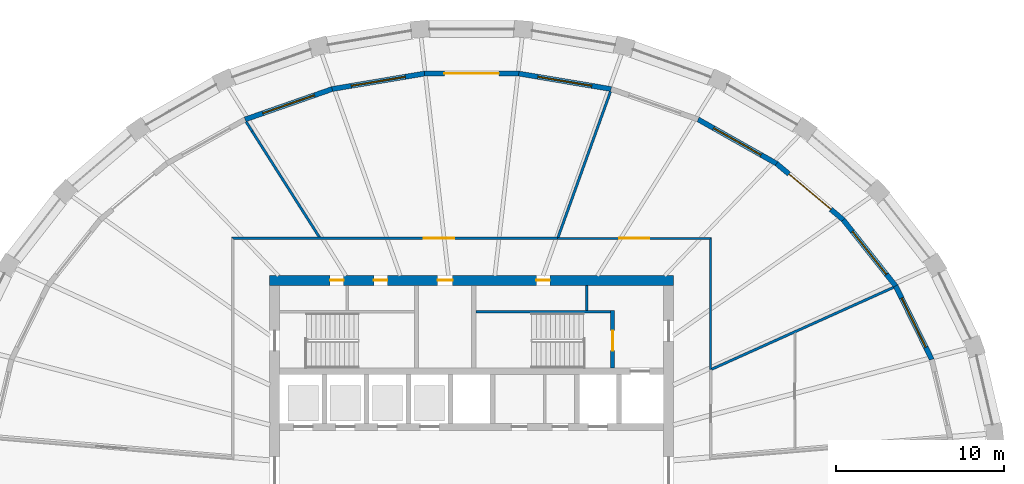
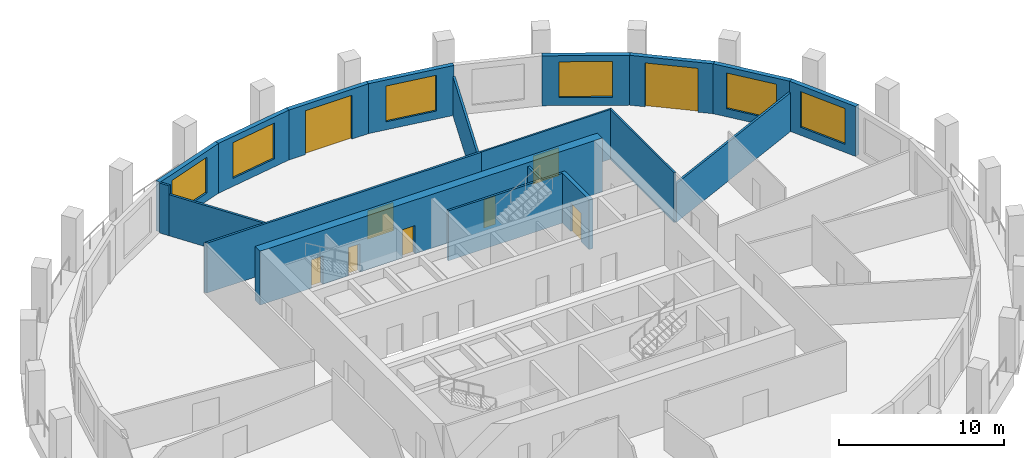
# One storey, part 6 of 10: 19 walls, 9 doors, 6 windows, 15 openings.
"""IFC4 building model written with IfcOpenShell, lengths in metres."""

from ifc_helpers import new_model, si_unit, direction, frame, frame_2d, origin, place, context, subcontext, project, spatial, polyline, rectangle, outline, extrude, material, layer, layer_set, type_object, element, fill, save


model = new_model("IFC4")

# Units and contexts
model_context = context("Model", 3, precision=1e-05, world=origin(), true_north=direction((0.0, 1.0)))
body_context = subcontext(model_context, "Body", "Model", "MODEL_VIEW")
ifc_project = project(units=[si_unit("LENGTHUNIT", "METRE"), si_unit("AREAUNIT", "SQUARE_METRE"), si_unit("VOLUMEUNIT", "CUBIC_METRE"), si_unit("PLANEANGLEUNIT", "RADIAN"), si_unit("MASSUNIT", "GRAM", prefix="KILO")], contexts=[model_context])

# Site, building, storey
site_placement = place(None, origin())
site = spatial("IfcSite", under=ifc_project, at=site_placement, CompositionType="ELEMENT")
building_placement = place(site_placement, origin())
building = spatial("IfcBuilding", under=site, at=building_placement, Name="Halqa Exchange Tower", CompositionType="ELEMENT")
storey_placement = place(building_placement, frame((0.0, 0.0, 242.89990234375)))
storey = spatial("IfcBuildingStorey", under=building, at=storey_placement, Name="L56", CompositionType="ELEMENT", Elevation=242.89990234375)

# Wall, opening, door
ifc_material_1 = material(Name="Fire-rated gypsum board")
ifc_layer_1 = layer(ifc_material_1, 0.14990234375)
ifc_layer_set_1 = layer_set([ifc_layer_1], Name="Fire-rated gypsum board")
wall_type_1 = type_object("IfcWallType", Name="Fire partition EI 60 150", PredefinedType="PARTITIONING", material=ifc_layer_set_1)
wall_1_placement = place(storey_placement, frame((-14.27490234375, 14.199951171875, 0.0), z_axis=(0.0, 0.0, 1.0), x_axis=(1.0, 0.0, 0.0)))
wall_1 = element("IfcWall", 1, at=wall_1_placement, inside=storey, type_object=wall_type_1, Name="L56-PWL-005", PredefinedType="PARTITIONING", context=body_context, shape_type="SweptSolid", body=[
    extrude(outline(polyline([(19.385009765625, 0.074951171875), (17.446533203125, 0.074951171875), (15.508056640625, 0.074951171875), (13.569580078125, 0.074951171875), (11.631103515625, 0.074951171875), (9.6923828125, 0.074951171875), (7.75390625, 0.074951171875), (5.8154296875, 0.074951171875), (3.876953125, 0.074951171875), (1.9384765625, 0.074951171875), (0.0, 0.074951171875), (0.14990234375, -0.074951171875), (2.073486328125, -0.074951171875), (3.996826171875, -0.074951171875), (5.92041015625, -0.074951171875), (7.843994140625, -0.074951171875), (9.767578125, -0.074951171875), (11.69091796875, -0.074951171875), (13.614501953125, -0.074951171875), (15.5380859375, -0.074951171875), (17.46142578125, -0.074951171875), (19.385009765625, -0.074951171875), (19.385009765625, 0.074951171875)])), origin(), (0.0, 0.0, 1.0), 3.7001953125),
])
opening_1_placement = place(wall_1_placement, frame((11.429931640625, 0.0, 0.0)))
opening_1 = element("IfcOpeningElement", 2, at=opening_1_placement, cuts=wall_1, Name="Opening 17-06", PredefinedType="OPENING", context=body_context, shape_type="SweptSolid", body=[
    extrude(rectangle(XDim=1.800048828125, YDim=2.10009765625, at=frame_2d((0.89990234375, 1.050048828125))), frame((0.0, 0.0869140625, 0.0), z_axis=(0.0, -1.0, 0.0), x_axis=(1.0, 0.0, 0.0)), (0.0, 0.0, 1.0), 0.173828125),
])
ifc_material_2 = material(Name="Steel fire door leaf", Category="steel")
door_type_1 = type_object("IfcDoorType", Name="Fire door FD30S double 1800 x 2100", OperationType="DOUBLE_DOOR_SINGLE_SWING", PredefinedType="DOOR", material=ifc_material_2)
door_1_placement = place(opening_1_placement, origin())
door_1 = element("IfcDoor", 3, at=door_1_placement, inside=storey, type_object=door_type_1, Name="L56-IDR-006", OperationType="DOUBLE_DOOR_SINGLE_SWING", OverallHeight=2.10009765625, OverallWidth=1.800048828125, PredefinedType="DOOR", context=body_context, shape_type="SweptSolid", body=[
    extrude(rectangle(XDim=1.800048828125, YDim=2.10009765625, at=frame_2d((0.89990234375, 1.050048828125))), frame((0.0, 0.02490234375, 0.0), z_axis=(0.0, -1.0, 0.0), x_axis=(1.0, 0.0, 0.0)), (0.0, 0.0, 1.0), 0.050048828125),
])
fill(opening_1, door_1)

# Walls
wall_2_placement = place(storey_placement, frame((-9.022216796875, 14.235107421875, 0.0), z_axis=(0.0, 0.0, 1.0), x_axis=(-0.536113951256, 0.844145622075, 0.0)))
element("IfcWall", 4, at=wall_2_placement, inside=storey, type_object=wall_type_1, Name="L56-PWL-006", PredefinedType="PARTITIONING", context=body_context, shape_type="SweptSolid", body=[
    extrude(outline(polyline([(7.49072265625, 0.074951171875), (5.641845703125, 0.074951171875), (3.792724609375, 0.074951171875), (1.94384765625, 0.074951171875), (0.094970703125, 0.074951171875), (0.0, -0.074462890625), (0.0, -0.074951171875), (1.87255859375, -0.074951171875), (3.745361328125, -0.074951171875), (5.6181640625, -0.074951171875), (7.49072265625, -0.074951171875), (7.49072265625, 0.074951171875)])), origin(), (0.0, 0.0, 1.0), 3.050048828125),
])
wall_3_placement = place(storey_placement, frame((5.1279296875, 14.25, 0.0), z_axis=(0.0, 0.0, 1.0), x_axis=(0.33871853012, 0.940887749603, 0.0)))
element("IfcWall", 5, at=wall_3_placement, inside=storey, type_object=wall_type_1, Name="L56-PWL-010", PredefinedType="PARTITIONING", context=body_context, shape_type="SweptSolid", body=[
    extrude(outline(polyline([(9.215087890625, -0.074951171875), (9.215087890625, -0.060546875), (9.214599609375, 0.001953125), (9.201171875, 0.074951171875), (7.361083984375, 0.074951171875), (5.520751953125, 0.074951171875), (3.680419921875, 0.074951171875), (1.84033203125, 0.074951171875), (0.0, 0.074951171875), (0.0, 0.07373046875), (0.017333984375, 0.025390625), (0.00341796875, 0.020263671875), (0.03759765625, -0.074951171875), (1.873046875, -0.074951171875), (3.70849609375, -0.074951171875), (5.544189453125, -0.074951171875), (7.379638671875, -0.074951171875), (9.215087890625, -0.074951171875)])), origin(), (0.0, 0.0, 1.0), 2.897216796875),
])
wall_4_placement = place(storey_placement, frame((14.24462890625, 6.420166015625, 0.0), z_axis=(0.0, 0.0, 1.0), x_axis=(0.911924971597, 0.410356974082, 0.0)))
element("IfcWall", 6, at=wall_4_placement, inside=storey, type_object=wall_type_1, Name="L56-PWL-018", PredefinedType="PARTITIONING", context=body_context, shape_type="SweptSolid", body=[
    extrude(outline(polyline([(0.0, -0.074951171875), (1.78173828125, -0.074951171875), (3.563720703125, -0.074951171875), (5.345458984375, -0.074951171875), (5.34619140625, -0.072998046875), (5.3505859375, -0.074951171875), (6.97802734375, -0.074951171875), (8.60546875, -0.074951171875), (10.23291015625, -0.074951171875), (11.8603515625, -0.074951171875), (11.8603515625, -0.074462890625), (11.857666015625, 0.005126953125), (11.840087890625, 0.074951171875), (9.875, 0.074951171875), (7.91015625, 0.074951171875), (5.9453125, 0.074951171875), (3.98046875, 0.074951171875), (2.015380859375, 0.074951171875), (0.050537109375, 0.074951171875), (0.005859375, -0.024658203125), (0.01953125, -0.03076171875), (0.0, -0.073974609375), (0.0, -0.074951171875)])), origin(), (0.0, 0.0, 1.0), 2.880126953125),
])
wall_5_placement = place(storey_placement, frame((-13.0380859375, 20.558349609375, 0.0), z_axis=(0.0, 0.0, 1.0), x_axis=(-0.536263285698, 0.844050761751, 0.0)))
element("IfcWall", 7, at=wall_5_placement, inside=storey, type_object=wall_type_1, Name="L56-PWL-022", PredefinedType="PARTITIONING", context=body_context, shape_type="SweptSolid", body=[
    extrude(outline(polyline([(0.0, -0.074951171875), (0.650634765625, -0.074951171875), (0.667236328125, -0.00390625), (0.671142578125, 0.069091796875), (0.671142578125, 0.074951171875), (0.0, 0.074951171875), (0.0, -0.074951171875)])), origin(), (0.0, 0.0, 1.0), 3.7001953125),
])

# Wall, opening, door
ifc_material_3 = material(Name="Fire-rated glazing", Category="glass")
ifc_layer_2 = layer(ifc_material_3, 0.1201171875)
ifc_layer_set_2 = layer_set([ifc_layer_2], Name="Fire-rated glazing")
wall_type_2 = type_object("IfcWallType", Name="Glazed fire partition EI 60 120", PredefinedType="PARTITIONING", material=ifc_layer_set_2)
wall_6_placement = place(storey_placement, frame((5.110107421875, 14.199951171875, 0.0), z_axis=(0.0, 0.0, 1.0), x_axis=(1.0, 0.0, 0.0)))
wall_6 = element("IfcWall", 8, at=wall_6_placement, inside=storey, type_object=wall_type_2, Name="L56-PWL-011", PredefinedType="PARTITIONING", context=body_context, shape_type="SweptSolid", body=[
    extrude(outline(polyline([(0.0, -0.06005859375), (1.805908203125, -0.06005859375), (3.61181640625, -0.06005859375), (5.41796875, -0.06005859375), (7.223876953125, -0.06005859375), (9.02978515625, -0.06005859375), (9.14990234375, 0.06005859375), (7.31982421875, 0.06005859375), (5.489990234375, 0.06005859375), (3.659912109375, 0.06005859375), (1.830078125, 0.06005859375), (0.0, 0.06005859375), (0.0, -0.06005859375)])), origin(), (0.0, 0.0, 1.0), 3.7001953125),
])
opening_2_placement = place(wall_6_placement, frame((3.64501953125, 0.0, 0.0)))
opening_2 = element("IfcOpeningElement", 9, at=opening_2_placement, cuts=wall_6, Name="Opening 17-05", PredefinedType="OPENING", context=body_context, shape_type="SweptSolid", body=[
    extrude(rectangle(XDim=1.800048828125, YDim=2.10009765625, at=frame_2d((0.89990234375, 1.050048828125))), frame((0.0, 0.072021484375, 0.0), z_axis=(0.0, -1.0, 0.0), x_axis=(1.0, 0.0, 0.0)), (0.0, 0.0, 1.0), 0.14404296875),
])
door_2_placement = place(opening_2_placement, origin())
door_2 = element("IfcDoor", 10, at=door_2_placement, inside=storey, type_object=door_type_1, Name="L56-IDR-005", OperationType="DOUBLE_DOOR_SINGLE_SWING", OverallHeight=2.10009765625, OverallWidth=1.800048828125, PredefinedType="DOOR", context=body_context, shape_type="SweptSolid", body=[
    extrude(rectangle(XDim=1.800048828125, YDim=2.10009765625, at=frame_2d((0.89990234375, 1.050048828125))), frame((0.0, 0.02490234375, 0.0), z_axis=(0.0, -1.0, 0.0), x_axis=(1.0, 0.0, 0.0)), (0.0, 0.0, 1.0), 0.050048828125),
])
fill(opening_2, door_2)

# Walls
wall_7_placement = place(storey_placement, frame((14.199951171875, 14.260009765625, 0.0), z_axis=(0.0, 0.0, 1.0), x_axis=(0.0, -1.0, 0.0)))
element("IfcWall", 11, at=wall_7_placement, inside=storey, type_object=wall_type_2, Name="L56-PWL-019", PredefinedType="PARTITIONING", context=body_context, shape_type="SweptSolid", body=[
    extrude(outline(polyline([(7.860107421875, 0.06005859375), (5.89501953125, 0.06005859375), (3.93017578125, 0.06005859375), (1.965087890625, 0.06005859375), (0.0, 0.06005859375), (0.1201171875, -0.06005859375), (2.05517578125, -0.06005859375), (3.990234375, -0.06005859375), (5.925048828125, -0.06005859375), (7.860107421875, -0.06005859375), (7.860107421875, 0.06005859375)])), origin(), (0.0, 0.0, 1.0), 3.7001953125),
])
ifc_material_4 = material(Name="Gypsum board")
ifc_layer_3 = layer(ifc_material_4, 0.14990234375)
ifc_layer_set_3 = layer_set([ifc_layer_3], Name="Gypsum board")
wall_type_3 = type_object("IfcWallType", Name="Penthouse riser wall 150 gypsum", PredefinedType="PARTITIONING", material=ifc_layer_set_3)
wall_8_placement = place(storey_placement, frame((6.824951171875, 9.89990234375, 0.0), z_axis=(0.0, 0.0, 1.0), x_axis=(0.0, 1.0, 0.0)))
element("IfcWall", 12, at=wall_8_placement, inside=storey, type_object=wall_type_3, Name="Firefighting lobby west wall N", PredefinedType="PARTITIONING", context=body_context, shape_type="SweptSolid", body=[
    extrude(rectangle(XDim=1.5, YDim=0.14990234375, at=frame_2d((0.75, 0.0))), origin(), (0.0, 0.0, 1.0), 3.7001953125),
])

# Wall, openings, doors
ifc_material_5 = material(Name="Concrete C70/85", Category="concrete")
ifc_layer_4 = layer(ifc_material_5, 0.60009765625)
ifc_layer_set_4 = layer_set([ifc_layer_4], Name="Concrete C70/85")
wall_type_4 = type_object("IfcWallType", Name="RC core wall 600 C70/85", PredefinedType="SHEAR", material=ifc_layer_set_4)
wall_9_placement = place(storey_placement, frame((-12.0, 11.699951171875, 0.0), z_axis=(0.0, 0.0, 1.0), x_axis=(1.0, 0.0, 0.0)))
wall_9 = element("IfcWall", 13, at=wall_9_placement, inside=storey, type_object=wall_type_4, Name="Core wall north", PredefinedType="SHEAR", context=body_context, shape_type="SweptSolid", body=[
    extrude(rectangle(XDim=24.0, YDim=0.60009765625, at=frame_2d((12.0, 0.0))), origin(), (0.0, 0.0, 1.0), 4.0),
])
opening_3_placement = place(wall_9_placement, frame((9.97509765625, 0.0, 0.0)))
opening_3 = element("IfcOpeningElement", 14, at=opening_3_placement, cuts=wall_9, Name="Opening T17-C21", PredefinedType="OPENING", context=body_context, shape_type="SweptSolid", body=[
    extrude(rectangle(XDim=0.89990234375, YDim=2.10009765625, at=frame_2d((0.449951171875, 1.050048828125))), frame((0.0, 0.31201171875, 0.0), z_axis=(0.0, -1.0, 0.0), x_axis=(1.0, 0.0, 0.0)), (0.0, 0.0, 1.0), 0.6240234375),
])
opening_4_placement = place(wall_9_placement, frame((3.60009765625, 0.0, 0.0)))
opening_4 = element("IfcOpeningElement", 15, at=opening_4_placement, cuts=wall_9, Name="Opening T17-C22", PredefinedType="OPENING", context=body_context, shape_type="SweptSolid", body=[
    extrude(rectangle(XDim=0.800048828125, YDim=2.10009765625, at=frame_2d((0.39990234375, 1.050048828125))), frame((0.0, 0.31201171875, 0.0), z_axis=(0.0, -1.0, 0.0), x_axis=(1.0, 0.0, 0.0)), (0.0, 0.0, 1.0), 0.6240234375),
])
opening_5_placement = place(wall_9_placement, frame((6.199951171875, 0.0, 0.0)))
opening_5 = element("IfcOpeningElement", 16, at=opening_5_placement, cuts=wall_9, Name="Opening T17-C23", PredefinedType="OPENING", context=body_context, shape_type="SweptSolid", body=[
    extrude(rectangle(XDim=0.800048828125, YDim=2.10009765625, at=frame_2d((0.39990234375, 1.050048828125))), frame((0.0, 0.31201171875, 0.0), z_axis=(0.0, -1.0, 0.0), x_axis=(1.0, 0.0, 0.0)), (0.0, 0.0, 1.0), 0.6240234375),
])
opening_6_placement = place(wall_9_placement, frame((15.85009765625, 0.0, 0.0)))
opening_6 = element("IfcOpeningElement", 17, at=opening_6_placement, cuts=wall_9, Name="Opening T17-C24", PredefinedType="OPENING", context=body_context, shape_type="SweptSolid", body=[
    extrude(rectangle(XDim=0.800048828125, YDim=2.10009765625, at=frame_2d((0.39990234375, 1.050048828125))), frame((0.0, 0.31201171875, 0.0), z_axis=(0.0, -1.0, 0.0), x_axis=(1.0, 0.0, 0.0)), (0.0, 0.0, 1.0), 0.6240234375),
])
ifc_material_6 = material(Name="Timber fire door leaf", Category="wood")
door_type_2 = type_object("IfcDoorType", Name="Core room door FD30 900 x 2100", OperationType="SINGLE_SWING_LEFT", PredefinedType="DOOR", material=ifc_material_6)
door_3_placement = place(opening_3_placement, frame((0.89990234375, 0.0, 0.0), z_axis=(0.0, 0.0, 1.0), x_axis=(-1.0, 0.0, 0.0)))
door_3 = element("IfcDoor", 18, at=door_3_placement, inside=storey, type_object=door_type_2, Name="Core room door", OperationType="SINGLE_SWING_RIGHT", OverallHeight=2.10009765625, OverallWidth=0.89990234375, PredefinedType="DOOR", context=body_context, shape_type="SweptSolid", body=[
    extrude(rectangle(XDim=0.89990234375, YDim=2.10009765625, at=frame_2d((0.449951171875, 1.050048828125))), frame((0.0, 0.02490234375, 0.0), z_axis=(0.0, -1.0, 0.0), x_axis=(1.0, 0.0, 0.0)), (0.0, 0.0, 1.0), 0.050048828125),
])
fill(opening_3, door_3)
door_type_3 = type_object("IfcDoorType", Name="Riser door FD60 800 x 2100", OperationType="SINGLE_SWING_LEFT", PredefinedType="DOOR", material=ifc_material_2)
door_4_placement = place(opening_4_placement, frame((0.800048828125, 0.0, 0.0), z_axis=(0.0, 0.0, 1.0), x_axis=(-1.0, 0.0, 0.0)))
door_4 = element("IfcDoor", 19, at=door_4_placement, inside=storey, type_object=door_type_3, Name="Core room door", OperationType="SINGLE_SWING_RIGHT", OverallHeight=2.10009765625, OverallWidth=0.800048828125, PredefinedType="DOOR", context=body_context, shape_type="SweptSolid", body=[
    extrude(rectangle(XDim=0.800048828125, YDim=2.10009765625, at=frame_2d((0.39990234375, 1.050048828125))), frame((0.0, 0.02490234375, 0.0), z_axis=(0.0, -1.0, 0.0), x_axis=(1.0, 0.0, 0.0)), (0.0, 0.0, 1.0), 0.050048828125),
])
fill(opening_4, door_4)
door_5_placement = place(opening_5_placement, frame((0.800048828125, 0.0, 0.0), z_axis=(0.0, 0.0, 1.0), x_axis=(-1.0, 0.0, 0.0)))
door_5 = element("IfcDoor", 20, at=door_5_placement, inside=storey, type_object=door_type_3, Name="Core room door", OperationType="SINGLE_SWING_RIGHT", OverallHeight=2.10009765625, OverallWidth=0.800048828125, PredefinedType="DOOR", context=body_context, shape_type="SweptSolid", body=[
    extrude(rectangle(XDim=0.800048828125, YDim=2.10009765625, at=frame_2d((0.39990234375, 1.050048828125))), frame((0.0, 0.02490234375, 0.0), z_axis=(0.0, -1.0, 0.0), x_axis=(1.0, 0.0, 0.0)), (0.0, 0.0, 1.0), 0.050048828125),
])
fill(opening_5, door_5)
door_6_placement = place(opening_6_placement, frame((0.800048828125, 0.0, 0.0), z_axis=(0.0, 0.0, 1.0), x_axis=(-1.0, 0.0, 0.0)))
door_6 = element("IfcDoor", 21, at=door_6_placement, inside=storey, type_object=door_type_3, Name="Core room door", OperationType="SINGLE_SWING_RIGHT", OverallHeight=2.10009765625, OverallWidth=0.800048828125, PredefinedType="DOOR", context=body_context, shape_type="SweptSolid", body=[
    extrude(rectangle(XDim=0.800048828125, YDim=2.10009765625, at=frame_2d((0.39990234375, 1.050048828125))), frame((0.0, 0.02490234375, 0.0), z_axis=(0.0, -1.0, 0.0), x_axis=(1.0, 0.0, 0.0)), (0.0, 0.0, 1.0), 0.050048828125),
])
fill(opening_6, door_6)

# Wall
ifc_material_7 = material(Name="Concrete C30/37", Category="concrete")
ifc_layer_5 = layer(ifc_material_7, 0.14990234375)
ifc_layer_set_5 = layer_set([ifc_layer_5], Name="Concrete C30/37")
wall_type_5 = type_object("IfcWallType", Name="RC stair wall 150 C30/37", PredefinedType="SHEAR", material=ifc_layer_set_5)
wall_10_placement = place(storey_placement, frame((0.25, 9.824951171875, 0.0), z_axis=(0.0, 0.0, 1.0), x_axis=(1.0, 0.0, 0.0)))
element("IfcWall", 22, at=wall_10_placement, inside=storey, type_object=wall_type_5, Name="Stair ST2 north wall N", PredefinedType="SHEAR", context=body_context, shape_type="SweptSolid", body=[
    extrude(rectangle(XDim=8.0, YDim=0.14990234375, at=frame_2d((4.0, 0.0))), origin(), (0.0, 0.0, 1.0), 3.7001953125),
])

# Wall, opening, door
ifc_layer_6 = layer(ifc_material_7, 0.25)
ifc_layer_set_6 = layer_set([ifc_layer_6], Name="Concrete C30/37")
wall_type_6 = type_object("IfcWallType", Name="RC stair wall 250 C30/37", PredefinedType="SHEAR", material=ifc_layer_set_6)
wall_11_placement = place(storey_placement, frame((8.375, 6.5, 0.0), z_axis=(0.0, 0.0, 1.0), x_axis=(0.0, 1.0, 0.0)))
wall_11 = element("IfcWall", 23, at=wall_11_placement, inside=storey, type_object=wall_type_6, Name="Stair ST2 east wall N", PredefinedType="SHEAR", context=body_context, shape_type="SweptSolid", body=[
    extrude(rectangle(XDim=3.39990234375, YDim=0.25, at=frame_2d((1.699951171875, 0.0))), origin(), (0.0, 0.0, 1.0), 3.7001953125),
])
opening_7_placement = place(wall_11_placement, frame((1.02490234375, 0.0, 0.0)))
opening_7 = element("IfcOpeningElement", 24, at=opening_7_placement, cuts=wall_11, Name="Opening T17-C16", PredefinedType="OPENING", context=body_context, shape_type="SweptSolid", body=[
    extrude(rectangle(XDim=1.199951171875, YDim=2.10009765625, at=frame_2d((0.60009765625, 1.050048828125))), frame((0.0, 0.136962890625, 0.0), z_axis=(0.0, -1.0, 0.0), x_axis=(1.0, 0.0, 0.0)), (0.0, 0.0, 1.0), 0.27392578125),
])
door_type_4 = type_object("IfcDoorType", Name="Stair door FD90 1200 x 2100", OperationType="SINGLE_SWING_LEFT", PredefinedType="DOOR", material=ifc_material_2)
door_7_placement = place(opening_7_placement, origin())
door_7 = element("IfcDoor", 25, at=door_7_placement, inside=storey, type_object=door_type_4, Name="Stair door ST2", OperationType="SINGLE_SWING_LEFT", OverallHeight=2.10009765625, OverallWidth=1.199951171875, PredefinedType="DOOR", context=body_context, shape_type="SweptSolid", body=[
    extrude(rectangle(XDim=1.199951171875, YDim=2.10009765625, at=frame_2d((0.60009765625, 1.050048828125))), frame((0.0, 0.02490234375, 0.0), z_axis=(0.0, -1.0, 0.0), x_axis=(1.0, 0.0, 0.0)), (0.0, 0.0, 1.0), 0.050048828125),
])
fill(opening_7, door_7)

# Wall, opening, window
ifc_material_8 = material(Name="Limestone cladding", Category="masonry")
ifc_layer_7 = layer(ifc_material_8, 0.0400390625)
ifc_material_9 = material(Name="Ventilated cavity")
ifc_layer_8 = layer(ifc_material_9, 0.030029296875, ventilated=True)
ifc_material_10 = material(Name="Mineral wool insulation")
ifc_layer_9 = layer(ifc_material_10, 0.10009765625)
ifc_layer_10 = layer(ifc_material_7, 0.10009765625)
ifc_material_11 = material(Name="Internal plaster")
ifc_layer_11 = layer(ifc_material_11, 0.030029296875)
ifc_layer_set_7 = layer_set([ifc_layer_7, ifc_layer_8, ifc_layer_9, ifc_layer_10, ifc_layer_11], Name="Stone-faced insulated wall 300")
wall_type_7 = type_object("IfcWallType", Name="Stone-faced insulated wall 300", PredefinedType="STANDARD", material=ifc_layer_set_7)
wall_12_placement = place(storey_placement, frame((27.329345703125, 7.00390625, 0.0), z_axis=(0.0, 0.0, 1.0), x_axis=(-0.441001730708, 0.897506252632, 0.0)))
wall_12 = element("IfcWall", 26, at=wall_12_placement, inside=storey, type_object=wall_type_7, Name="Glass-line wall 2", PredefinedType="STANDARD", context=body_context, shape_type="SweptSolid", body=[
    extrude(outline(polyline([(-0.016845703125, -0.14990234375), (4.88232421875, -0.14990234375), (4.85009765625, 0.14990234375), (0.016845703125, 0.14990234375), (-0.016845703125, -0.14990234375)])), origin(), (0.0, 0.0, 1.0), 3.7001953125),
])
opening_8_placement = place(wall_12_placement, frame((0.80810546875, 0.0, 0.60009765625)))
opening_8 = element("IfcOpeningElement", 27, at=opening_8_placement, cuts=wall_12, Name="Opening W-F3-02", PredefinedType="OPENING", context=body_context, shape_type="SweptSolid", body=[
    extrude(rectangle(XDim=3.25, YDim=2.64990234375, at=frame_2d((1.625, 1.324951171875))), frame((0.0, 0.162109375, 0.0), z_axis=(0.0, -1.0, 0.0), x_axis=(1.0, 0.0, 0.0)), (0.0, 0.0, 1.0), 0.323974609375),
])
ifc_material_12 = material(Name="Clear low-emissivity glass in aluminium frame", Category="aluminium")
window_type = type_object("IfcWindowType", Name="Fixed clear glazed window 3250 x 2650", PartitioningType="TRIPLE_PANEL_VERTICAL", PredefinedType="WINDOW", material=ifc_material_12)
window_1_placement = place(opening_8_placement, origin())
window_1 = element("IfcWindow", 28, at=window_1_placement, inside=storey, type_object=window_type, Name="Window 3", OverallHeight=2.64990234375, OverallWidth=3.25, PartitioningType="TRIPLE_PANEL_VERTICAL", PredefinedType="WINDOW", context=body_context, shape_type="SweptSolid", body=[
    extrude(rectangle(XDim=3.25, YDim=2.64990234375, at=frame_2d((1.625, 1.324951171875))), frame((0.0, 0.030029296875, 0.0), z_axis=(0.0, -1.0, 0.0), x_axis=(1.0, 0.0, 0.0)), (0.0, 0.0, 1.0), 0.06005859375),
])
fill(opening_8, window_1)

wall_13_placement = place(storey_placement, frame((25.183349609375, 11.371337890625, 0.0), z_axis=(0.0, 0.0, 1.0), x_axis=(-0.621130746167, 0.783706958094, 0.0)))
wall_13 = element("IfcWall", 29, at=wall_13_placement, inside=storey, type_object=wall_type_7, Name="Glass-line wall 3", PredefinedType="STANDARD", context=body_context, shape_type="SweptSolid", body=[
    extrude(outline(polyline([(-0.01611328125, -0.14990234375), (5.02783203125, -0.14990234375), (4.99755859375, 0.14990234375), (0.01611328125, 0.14990234375), (-0.01611328125, -0.14990234375)])), origin(), (0.0, 0.0, 1.0), 3.7001953125),
])
opening_9_placement = place(wall_13_placement, frame((0.88134765625, 0.0, 0.60009765625)))
opening_9 = element("IfcOpeningElement", 30, at=opening_9_placement, cuts=wall_13, Name="Opening W-F3-03", PredefinedType="OPENING", context=body_context, shape_type="SweptSolid", body=[
    extrude(rectangle(XDim=3.25, YDim=2.64990234375, at=frame_2d((1.625, 1.324951171875))), frame((0.0, 0.162109375, 0.0), z_axis=(0.0, -1.0, 0.0), x_axis=(1.0, 0.0, 0.0)), (0.0, 0.0, 1.0), 0.323974609375),
])
window_2_placement = place(opening_9_placement, origin())
window_2 = element("IfcWindow", 31, at=window_2_placement, inside=storey, type_object=window_type, Name="Window 3", OverallHeight=2.64990234375, OverallWidth=3.25, PartitioningType="TRIPLE_PANEL_VERTICAL", PredefinedType="WINDOW", context=body_context, shape_type="SweptSolid", body=[
    extrude(rectangle(XDim=3.25, YDim=2.64990234375, at=frame_2d((1.625, 1.324951171875))), frame((0.0, 0.030029296875, 0.0), z_axis=(0.0, -1.0, 0.0), x_axis=(1.0, 0.0, 0.0)), (0.0, 0.0, 1.0), 0.06005859375),
])
fill(opening_9, window_2)

# Wall, opening, door
wall_14_placement = place(storey_placement, frame((22.06982421875, 15.2998046875, 0.0), z_axis=(0.0, 0.0, 1.0), x_axis=(-0.764530975429, 0.644586989948, 0.0)))
wall_14 = element("IfcWall", 32, at=wall_14_placement, inside=storey, type_object=wall_type_7, Name="Glass-line wall 4", PredefinedType="STANDARD", context=body_context, shape_type="SweptSolid", body=[
    extrude(outline(polyline([(-0.01513671875, -0.14990234375), (5.1943359375, -0.14990234375), (5.166015625, 0.14990234375), (0.01513671875, 0.14990234375), (-0.01513671875, -0.14990234375)])), origin(), (0.0, 0.0, 1.0), 3.7001953125),
])
opening_10_placement = place(wall_14_placement, frame((0.965087890625, 0.0, 0.0)))
opening_10 = element("IfcOpeningElement", 33, at=opening_10_placement, cuts=wall_14, Name="Opening LG-F3-01", PredefinedType="OPENING", context=body_context, shape_type="SweptSolid", body=[
    extrude(rectangle(XDim=3.25, YDim=3.25, at=frame_2d((1.625, 1.625))), frame((0.0, 0.162109375, 0.0), z_axis=(0.0, -1.0, 0.0), x_axis=(1.0, 0.0, 0.0)), (0.0, 0.0, 1.0), 0.323974609375),
])
door_type_5 = type_object("IfcDoorType", Name="Glazed sliding loggia door 3250 x 3250", OperationType="DOUBLE_DOOR_SLIDING", PredefinedType="DOOR", material=ifc_material_12)
door_8_placement = place(opening_10_placement, origin())
door_8 = element("IfcDoor", 34, at=door_8_placement, inside=storey, type_object=door_type_5, Name="Loggia door 1", OperationType="DOUBLE_DOOR_SLIDING", OverallHeight=3.25, OverallWidth=3.25, PredefinedType="DOOR", context=body_context, shape_type="SweptSolid", body=[
    extrude(rectangle(XDim=3.25, YDim=3.25, at=frame_2d((1.625, 1.625))), frame((0.0, 0.02490234375, 0.0), z_axis=(0.0, -1.0, 0.0), x_axis=(1.0, 0.0, 0.0)), (0.0, 0.0, 1.0), 0.050048828125),
])
fill(opening_10, door_8)

# Wall, opening, window
wall_15_placement = place(storey_placement, frame((18.109375, 18.638916015625, 0.0), z_axis=(0.0, 0.0, 1.0), x_axis=(-0.871275151053, 0.490794876865, 0.0)))
wall_15 = element("IfcWall", 35, at=wall_15_placement, inside=storey, type_object=wall_type_7, Name="Glass-line wall 5", PredefinedType="STANDARD", context=body_context, shape_type="SweptSolid", body=[
    extrude(outline(polyline([(-0.01416015625, -0.14990234375), (5.35595703125, -0.14990234375), (5.3291015625, 0.14990234375), (0.01416015625, 0.14990234375), (-0.01416015625, -0.14990234375)])), origin(), (0.0, 0.0, 1.0), 3.7001953125),
])
opening_11_placement = place(wall_15_placement, frame((1.046142578125, 0.0, 0.60009765625)))
opening_11 = element("IfcOpeningElement", 36, at=opening_11_placement, cuts=wall_15, Name="Opening W-F3-05", PredefinedType="OPENING", context=body_context, shape_type="SweptSolid", body=[
    extrude(rectangle(XDim=3.25, YDim=2.64990234375, at=frame_2d((1.625, 1.324951171875))), frame((0.0, 0.162109375, 0.0), z_axis=(0.0, -1.0, 0.0), x_axis=(1.0, 0.0, 0.0)), (0.0, 0.0, 1.0), 0.323974609375),
])
window_3_placement = place(opening_11_placement, origin())
window_3 = element("IfcWindow", 37, at=window_3_placement, inside=storey, type_object=window_type, Name="Window 3", OverallHeight=2.64990234375, OverallWidth=3.25, PartitioningType="TRIPLE_PANEL_VERTICAL", PredefinedType="WINDOW", context=body_context, shape_type="SweptSolid", body=[
    extrude(rectangle(XDim=3.25, YDim=2.64990234375, at=frame_2d((1.625, 1.324951171875))), frame((0.0, 0.030029296875, 0.0), z_axis=(0.0, -1.0, 0.0), x_axis=(1.0, 0.0, 0.0)), (0.0, 0.0, 1.0), 0.06005859375),
])
fill(opening_11, window_3)

wall_16_placement = place(storey_placement, frame((8.284423828125, 23.06640625, 0.0), z_axis=(0.0, 0.0, 1.0), x_axis=(-0.98622977737, 0.16538085206, 0.0)))
wall_16 = element("IfcWall", 38, at=wall_16_placement, inside=storey, type_object=wall_type_7, Name="Glass-line wall 7", PredefinedType="STANDARD", context=body_context, shape_type="SweptSolid", body=[
    extrude(outline(polyline([(-0.0126953125, -0.14990234375), (5.576416015625, -0.14990234375), (5.551513671875, 0.14990234375), (0.0126953125, 0.14990234375), (-0.0126953125, -0.14990234375)])), origin(), (0.0, 0.0, 1.0), 3.7001953125),
])
opening_12_placement = place(wall_16_placement, frame((1.156982421875, 0.0, 0.60009765625)))
opening_12 = element("IfcOpeningElement", 39, at=opening_12_placement, cuts=wall_16, Name="Opening W-F3-07", PredefinedType="OPENING", context=body_context, shape_type="SweptSolid", body=[
    extrude(rectangle(XDim=3.25, YDim=2.64990234375, at=frame_2d((1.625, 1.324951171875))), frame((0.0, 0.162109375, 0.0), z_axis=(0.0, -1.0, 0.0), x_axis=(1.0, 0.0, 0.0)), (0.0, 0.0, 1.0), 0.323974609375),
])
window_4_placement = place(opening_12_placement, origin())
window_4 = element("IfcWindow", 40, at=window_4_placement, inside=storey, type_object=window_type, Name="Window 3", OverallHeight=2.64990234375, OverallWidth=3.25, PartitioningType="TRIPLE_PANEL_VERTICAL", PredefinedType="WINDOW", context=body_context, shape_type="SweptSolid", body=[
    extrude(rectangle(XDim=3.25, YDim=2.64990234375, at=frame_2d((1.625, 1.324951171875))), frame((0.0, 0.030029296875, 0.0), z_axis=(0.0, -1.0, 0.0), x_axis=(1.0, 0.0, 0.0)), (0.0, 0.0, 1.0), 0.06005859375),
])
fill(opening_12, window_4)

# Wall, opening, door
wall_17_placement = place(storey_placement, frame((2.797119140625, 23.986572265625, 0.0), z_axis=(0.0, 0.0, 1.0), x_axis=(-1.0, 0.0, 0.0)))
wall_17 = element("IfcWall", 41, at=wall_17_placement, inside=storey, type_object=wall_type_7, Name="Glass-line wall 8", PredefinedType="STANDARD", context=body_context, shape_type="SweptSolid", body=[
    extrude(outline(polyline([(-0.012451171875, -0.14990234375), (5.606689453125, -0.14990234375), (5.581787109375, 0.14990234375), (0.012451171875, 0.14990234375), (-0.012451171875, -0.14990234375)])), origin(), (0.0, 0.0, 1.0), 3.7001953125),
])
opening_13_placement = place(wall_17_placement, frame((1.172119140625, 0.0, 0.0)))
opening_13 = element("IfcOpeningElement", 42, at=opening_13_placement, cuts=wall_17, Name="Opening LG-F3-02", PredefinedType="OPENING", context=body_context, shape_type="SweptSolid", body=[
    extrude(rectangle(XDim=3.25, YDim=3.25, at=frame_2d((1.625, 1.625))), frame((0.0, 0.162109375, 0.0), z_axis=(0.0, -1.0, 0.0), x_axis=(1.0, 0.0, 0.0)), (0.0, 0.0, 1.0), 0.323974609375),
])
door_9_placement = place(opening_13_placement, origin())
door_9 = element("IfcDoor", 43, at=door_9_placement, inside=storey, type_object=door_type_5, Name="Loggia door 2", OperationType="DOUBLE_DOOR_SLIDING", OverallHeight=3.25, OverallWidth=3.25, PredefinedType="DOOR", context=body_context, shape_type="SweptSolid", body=[
    extrude(rectangle(XDim=3.25, YDim=3.25, at=frame_2d((1.625, 1.625))), frame((0.0, 0.02490234375, 0.0), z_axis=(0.0, -1.0, 0.0), x_axis=(1.0, 0.0, 0.0)), (0.0, 0.0, 1.0), 0.050048828125),
])
fill(opening_13, door_9)

# Wall, opening, window
wall_18_placement = place(storey_placement, frame((-2.797119140625, 23.986572265625, 0.0), z_axis=(0.0, 0.0, 1.0), x_axis=(-0.98622977737, -0.16538085206, 0.0)))
wall_18 = element("IfcWall", 44, at=wall_18_placement, inside=storey, type_object=wall_type_7, Name="Glass-line wall 9", PredefinedType="STANDARD", context=body_context, shape_type="SweptSolid", body=[
    extrude(outline(polyline([(-0.012451171875, -0.14990234375), (5.57666015625, -0.14990234375), (5.55126953125, 0.14990234375), (0.012451171875, 0.14990234375), (-0.012451171875, -0.14990234375)])), origin(), (0.0, 0.0, 1.0), 3.7001953125),
])
opening_14_placement = place(wall_18_placement, frame((1.156982421875, 0.0, 0.60009765625)))
opening_14 = element("IfcOpeningElement", 45, at=opening_14_placement, cuts=wall_18, Name="Opening W-F3-09", PredefinedType="OPENING", context=body_context, shape_type="SweptSolid", body=[
    extrude(rectangle(XDim=3.25, YDim=2.64990234375, at=frame_2d((1.625, 1.324951171875))), frame((0.0, 0.162109375, 0.0), z_axis=(0.0, -1.0, 0.0), x_axis=(1.0, 0.0, 0.0)), (0.0, 0.0, 1.0), 0.323974609375),
])
window_5_placement = place(opening_14_placement, origin())
window_5 = element("IfcWindow", 46, at=window_5_placement, inside=storey, type_object=window_type, Name="Window 3", OverallHeight=2.64990234375, OverallWidth=3.25, PartitioningType="TRIPLE_PANEL_VERTICAL", PredefinedType="WINDOW", context=body_context, shape_type="SweptSolid", body=[
    extrude(rectangle(XDim=3.25, YDim=2.64990234375, at=frame_2d((1.625, 1.324951171875))), frame((0.0, 0.030029296875, 0.0), z_axis=(0.0, -1.0, 0.0), x_axis=(1.0, 0.0, 0.0)), (0.0, 0.0, 1.0), 0.06005859375),
])
fill(opening_14, window_5)

wall_19_placement = place(storey_placement, frame((-8.284423828125, 23.06640625, 0.0), z_axis=(0.0, 0.0, 1.0), x_axis=(-0.944093730832, -0.329677156326, 0.0)))
wall_19 = element("IfcWall", 47, at=wall_19_placement, inside=storey, type_object=wall_type_7, Name="Glass-line wall 10", PredefinedType="STANDARD", context=body_context, shape_type="SweptSolid", body=[
    extrude(outline(polyline([(-0.0126953125, -0.14990234375), (5.48974609375, -0.14990234375), (5.462890625, 0.14990234375), (0.0126953125, 0.14990234375), (-0.0126953125, -0.14990234375)])), origin(), (0.0, 0.0, 1.0), 3.7001953125),
])
opening_15_placement = place(wall_19_placement, frame((1.113037109375, 0.0, 0.60009765625)))
opening_15 = element("IfcOpeningElement", 48, at=opening_15_placement, cuts=wall_19, Name="Opening W-F3-10", PredefinedType="OPENING", context=body_context, shape_type="SweptSolid", body=[
    extrude(rectangle(XDim=3.25, YDim=2.64990234375, at=frame_2d((1.625, 1.324951171875))), frame((0.0, 0.162109375, 0.0), z_axis=(0.0, -1.0, 0.0), x_axis=(1.0, 0.0, 0.0)), (0.0, 0.0, 1.0), 0.323974609375),
])
window_6_placement = place(opening_15_placement, origin())
window_6 = element("IfcWindow", 49, at=window_6_placement, inside=storey, type_object=window_type, Name="Window 3", OverallHeight=2.64990234375, OverallWidth=3.25, PartitioningType="TRIPLE_PANEL_VERTICAL", PredefinedType="WINDOW", context=body_context, shape_type="SweptSolid", body=[
    extrude(rectangle(XDim=3.25, YDim=2.64990234375, at=frame_2d((1.625, 1.324951171875))), frame((0.0, 0.030029296875, 0.0), z_axis=(0.0, -1.0, 0.0), x_axis=(1.0, 0.0, 0.0)), (0.0, 0.0, 1.0), 0.06005859375),
])
fill(opening_15, window_6)

save(model, "model.ifc")
